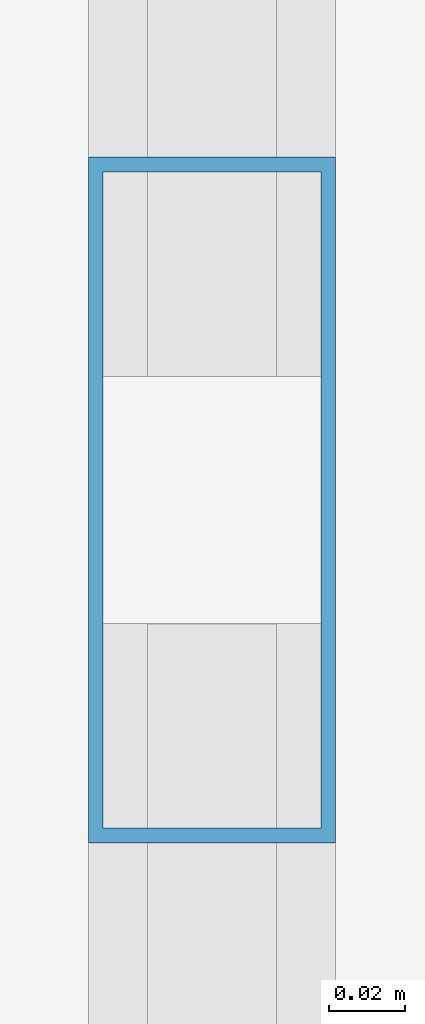
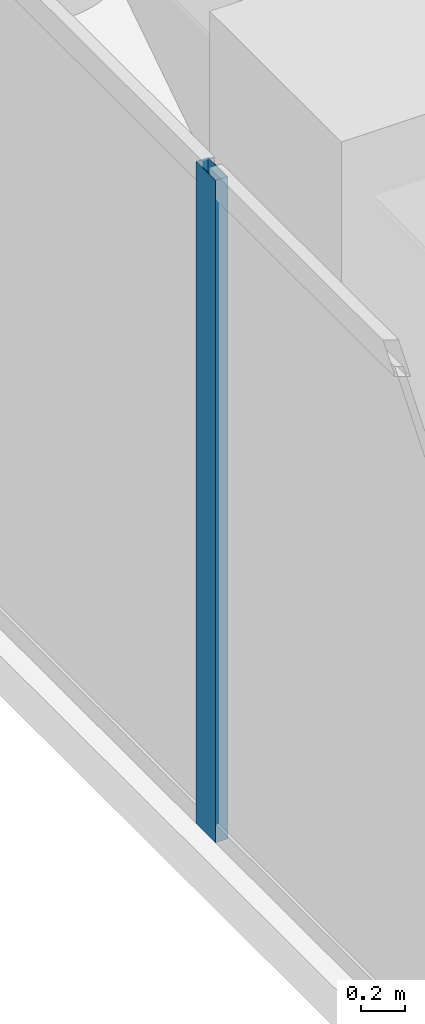
# One storey, part 6 of 21: 1 member, 1 element without a shape of its own.
"""IFC4 building model written with IfcOpenShell, lengths in metres."""

from ifc_helpers import new_model, si_unit, direction, frame, origin, origin_2d, place, context, subcontext, project, spatial, hollow_rectangle, extrude, material, layer, layer_set, material_profile, profile_set, type_object, element, aggregate, save


model = new_model("IFC4")

# Units and contexts
model_context = context("Model", 3, precision=1e-05, world=origin(), true_north=direction((0.0, 1.0)))
body_context = subcontext(model_context, "Body", "Model", "MODEL_VIEW")
ifc_project = project(units=[si_unit("LENGTHUNIT", "METRE"), si_unit("AREAUNIT", "SQUARE_METRE"), si_unit("VOLUMEUNIT", "CUBIC_METRE"), si_unit("PLANEANGLEUNIT", "RADIAN"), si_unit("MASSUNIT", "GRAM", prefix="KILO")], contexts=[model_context])

# Site, building, storey
site_placement = place(None, origin())
site = spatial("IfcSite", under=ifc_project, at=site_placement, CompositionType="ELEMENT")
building_placement = place(site_placement, origin())
building = spatial("IfcBuilding", under=site, at=building_placement, Name="Kiyonajd Concourse Tower", CompositionType="ELEMENT")
storey_placement = place(building_placement, frame((0.0, 0.0, 223.199951171875)))
storey = spatial("IfcBuildingStorey", under=building, at=storey_placement, Name="L56", CompositionType="ELEMENT", Elevation=223.199951171875)

# Curtain wall, member
ifc_material = material(Name="Thermally Broken Anodised Aluminium", Category="aluminium")
ifc_layer = layer(ifc_material, 0.179931640625)
ifc_layer_set = layer_set([ifc_layer], Name="Thermally Broken Anodised Aluminium")
curtain_wall_type = type_object("IfcCurtainWallType", Name="CW-SYS-04", PredefinedType="NOTDEFINED", material=ifc_layer_set)
curtain_wall_placement = place(storey_placement, origin())
curtain_wall = element("IfcCurtainWall", 1, at=curtain_wall_placement, inside=storey, type_object=curtain_wall_type, Name="L56 Unitised Curtain Wall CW4", PredefinedType="NOTDEFINED")
ifc_material_profile = material_profile(ifc_material, hollow_rectangle(XDim=0.06494140625, YDim=0.179931640625, WallThickness=0.00390625, at=origin_2d()), Name="MULL-65x180")
ifc_profile_set = profile_set([ifc_material_profile], Name="Thermally Broken Anodised Aluminium")
member_type = type_object("IfcMemberType", Name="MB-CW-MULL1", PredefinedType="MULLION", material=ifc_profile_set)
member_placement = place(storey_placement, frame((25.340087890625, 53.181396484375, 0.0), z_axis=(0.0, 0.0, 1.0), x_axis=(-1.0, 0.0, 0.0)))
member = element("IfcMember", 2, at=member_placement, type_object=member_type, Name="CW4 mullion 6", PredefinedType="MULLION", context=body_context, shape_type="SweptSolid", body=[
    extrude(hollow_rectangle(XDim=0.06494140625, YDim=0.179931640625, WallThickness=0.00390625, at=origin_2d()), origin(), (0.0, 0.0, 1.0), 3.679931640625),
])
aggregate(curtain_wall, [member])

save(model, "model.ifc")
